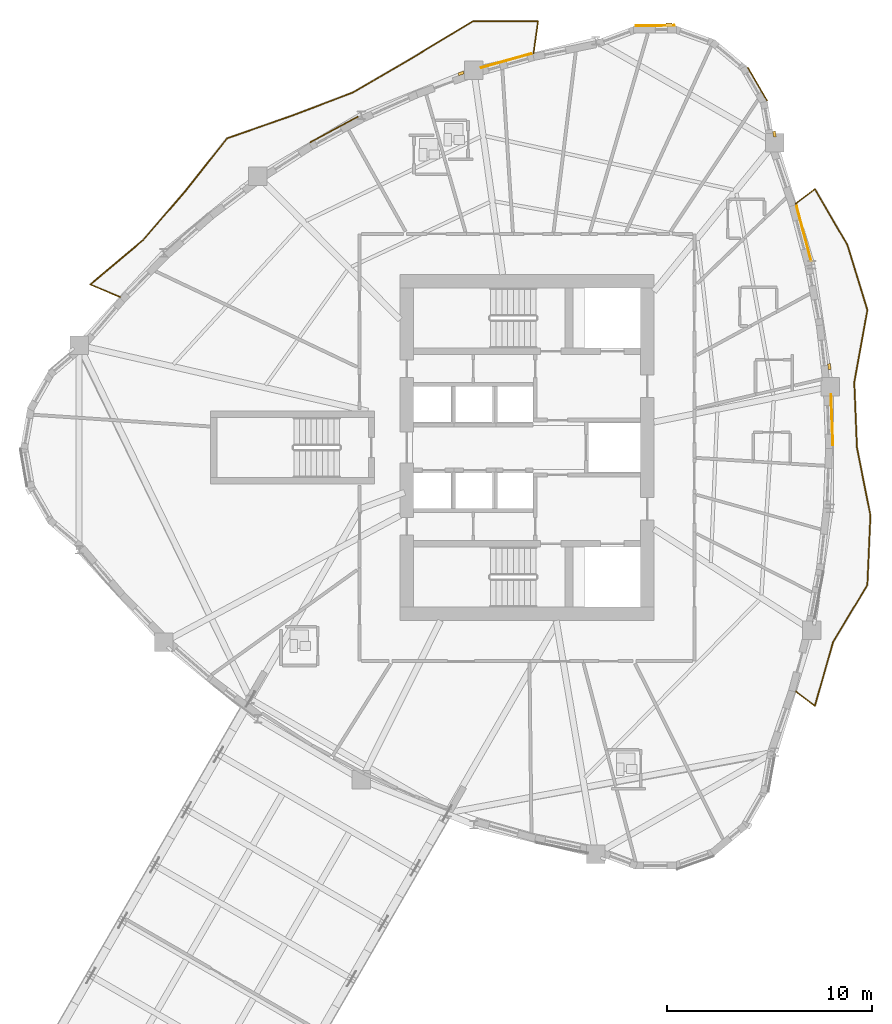
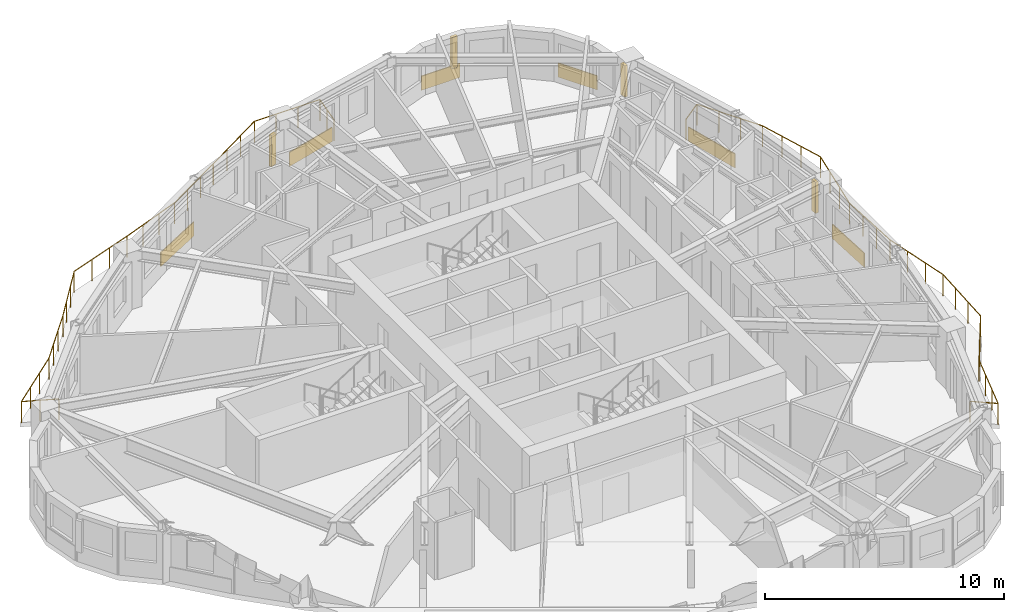
# One storey, part 16 of 17: 6 coverings, 4 shading devices, 2 railings.
"""IFC4 building model written with IfcOpenShell, lengths in metres."""

from ifc_helpers import new_model, si_unit, direction, frame, origin, origin_2d, place, context, subcontext, project, spatial, rectangle, circle, extrude, source, transform, mapped, material, layer, layer_set, type_object, element, save


model = new_model("IFC4")

# Units and contexts
model_context = context("Model", 3, precision=1e-05, world=origin(), true_north=direction((0.0, 1.0)))
body_context = subcontext(model_context, "Body", "Model", "MODEL_VIEW")
ifc_project = project(units=[si_unit("LENGTHUNIT", "METRE"), si_unit("AREAUNIT", "SQUARE_METRE"), si_unit("VOLUMEUNIT", "CUBIC_METRE"), si_unit("PLANEANGLEUNIT", "RADIAN"), si_unit("MASSUNIT", "GRAM", prefix="KILO")], contexts=[model_context])

# Site, building, storey
site_placement = place(None, origin())
site = spatial("IfcSite", under=ifc_project, at=site_placement, CompositionType="ELEMENT")
building_placement = place(site_placement, origin())
building = spatial("IfcBuilding", under=site, at=building_placement, Name="Qafzar Sky-Pleat Residences", CompositionType="ELEMENT")
storey_placement = place(building_placement, frame((0.0, 0.0, 108.800048828125)))
storey = spatial("IfcBuildingStorey", under=building, at=storey_placement, Name="L32", CompositionType="ELEMENT", Elevation=108.800048828125)

# Shading devices
ifc_material_1 = material(Name="Honed Riyadh limestone solar fin", Category="masonry")
ifc_layer_1 = layer(ifc_material_1, 0.139892578125)
ifc_layer_set_1 = layer_set([ifc_layer_1], Name="Honed Riyadh limestone solar fin")
shading_device_type = type_object("IfcShadingDeviceType", Name="SHD-FIN-STONE", PredefinedType="SHUTTER", material=ifc_layer_set_1)
shared_shape_1 = source(origin(), body_context, "Body", "SweptSolid", [
    extrude(rectangle(XDim=0.139892578125, YDim=0.280029296875, at=origin_2d()), origin(), (0.0, 0.0, 1.0), 1.60009765625),
])
for number, where, z_axis, x_axis, name in (
    (1, (45.1171875, 29.951904296875, 0.599853515625), (0.0, 0.0, 1.0), (0.993563207002, 0.113279096445, 0.0), "L32 Limestone Solar Fin 29"),
    (2, (42.439453125, 41.3076171875, 0.599853515625), (0.0, 0.0, 1.0), (0.984675881773, 0.174394403163, 0.0), "L32 Limestone Solar Fin 33"),
    (3, (37.282470703125, 46.656005859375, 0.599853515625), (0.0, 0.0, 1.0), (-0.006870821496, 0.999976395627, 0.0), "L32 Limestone Solar Fin 37"),
    (4, (27.129150390625, 44.275146484375, 0.599853515625), (0.0, 0.0, 1.0), (-0.338169484707, 0.941085224415, 0.0), "L32 Limestone Solar Fin 41"),
):
    element("IfcShadingDevice", number, at=place(storey_placement, frame(where, z_axis=z_axis, x_axis=x_axis)), inside=storey, type_object=shading_device_type, Name=name, PredefinedType="SHUTTER", context=body_context, shape_type="MappedRepresentation", body=[
        mapped(shared_shape_1, transform((0.0, 0.0, 0.0), x_axis=(1.0, 0.0, 0.0), y_axis=(0.0, 1.0, 0.0), z_axis=(0.0, 0.0, 1.0), scale=1.0)),
    ])

# Coverings
ifc_material_2 = material(Name="Honed Riyadh Tuwaiq limestone cladding", Category="masonry")
ifc_layer_2 = layer(ifc_material_2, 0.044921875)
ifc_layer_set_2 = layer_set([ifc_layer_2], Name="Honed Riyadh Tuwaiq limestone cladding")
covering_type = type_object("IfcCoveringType", Name="COV-CLAD-STONE", PredefinedType="CLADDING", material=ifc_layer_set_2)
shared_shape_2 = source(origin(), body_context, "Body", "SweptSolid", [
    extrude(rectangle(XDim=1.88916015625, YDim=0.044921875, at=origin_2d()), origin(), (0.0, 0.0, 1.0), 0.719970703125),
])
for number, where, z_axis, x_axis, name in (
    (5, (41.6083984375, 43.75341796875, 0.02001953125), (0.0, 0.0, 1.0), (-0.50197689344, 0.864881031387, 0.0), "L32 Riyadh Limestone Spandrel Cladding 34"),
    (6, (36.61083984375, 46.6083984375, 0.02001953125), (0.0, 0.0, 1.0), (-0.999976140267, -0.006907886628, 0.0), "L32 Riyadh Limestone Spandrel Cladding 37"),
):
    element("IfcCovering", number, at=place(storey_placement, frame(where, z_axis=z_axis, x_axis=x_axis)), inside=storey, type_object=covering_type, Name=name, PredefinedType="CLADDING", context=body_context, shape_type="MappedRepresentation", body=[
        mapped(shared_shape_2, transform((0.0, 0.0, 0.0), x_axis=(1.0, 0.0, 0.0), y_axis=(0.0, 1.0, 0.0), z_axis=(0.0, 0.0, 1.0), scale=1.0)),
    ])

# Railings
ifc_material_3 = material(Name="Laminated glass and bronze steel balustrade", Category="steel")
railing_type = type_object("IfcRailingType", Name="RAIL-BAL-1100", PredefinedType="BALUSTRADE", material=ifc_material_3)
shared_shape_3 = source(origin(), body_context, "Body", "SweptSolid", [
    extrude(circle(Radius=0.02392578125, at=origin_2d()), frame((0.0, 0.0, 1.076171875), z_axis=(0.792577756925, -0.609770857969, 0.0), x_axis=(0.609770857969, 0.792577756925, 0.0)), (0.0, 0.0, 1.0), 1.177978515625),
    extrude(circle(Radius=0.02392578125, at=origin_2d()), frame((0.93359375, -0.71826171875, 1.076171875), z_axis=(0.27403703855, 0.961719138576, 0.0), x_axis=(-0.961719138576, 0.27403703855, 0.0)), (0.0, 0.0, 1.0), 3.252685546875),
    extrude(circle(Radius=0.02392578125, at=origin_2d()), frame((1.824951171875, 2.409912109375, 1.076171875), z_axis=(0.515058919709, 0.857154775538, 0.0), x_axis=(-0.857154775538, 0.515058919709, 0.0)), (0.0, 0.0, 1.0), 3.250732421875),
    extrude(circle(Radius=0.02392578125, at=origin_2d()), frame((3.499267578125, 5.1962890625, 1.076171875), z_axis=(0.043446573451, 0.999055751825, 0.0), x_axis=(-0.999055751825, 0.043446573451, 0.0)), (0.0, 0.0, 1.0), 3.399658203125),
    extrude(circle(Radius=0.02392578125, at=origin_2d()), frame((3.64697265625, 8.5927734375, 1.076171875), z_axis=(-0.194615528867, 0.980879603175, 0.0), x_axis=(-0.980879603175, -0.194615528867, 0.0)), (0.0, 0.0, 1.0), 3.379638671875),
    extrude(circle(Radius=0.02392578125, at=origin_2d()), frame((2.9892578125, 11.90771484375, 1.076171875), z_axis=(-0.041059132366, 0.999156718263, 0.0), x_axis=(-0.999156718263, -0.041059132366, 0.0)), (0.0, 0.0, 1.0), 3.18115234375),
    extrude(circle(Radius=0.02392578125, at=origin_2d()), frame((2.858642578125, 15.086181640625, 1.076171875), z_axis=(0.178418700862, 0.983954657077, 0.0), x_axis=(-0.983954657077, 0.178418700862, 0.0)), (0.0, 0.0, 1.0), 3.590576171875),
    extrude(circle(Radius=0.02392578125, at=origin_2d()), frame((3.499267578125, 18.619140625, 1.076171875), z_axis=(-0.293284134593, 0.956025322048, 0.0), x_axis=(-0.956025322048, -0.293284134593, 0.0)), (0.0, 0.0, 1.0), 3.3173828125),
    extrude(circle(Radius=0.02392578125, at=origin_2d()), frame((2.5263671875, 21.79052734375, 1.076171875), z_axis=(-0.502128090271, 0.864793259086, 0.0), x_axis=(-0.864793259086, -0.502128090271, 0.0)), (0.0, 0.0, 1.0), 3.172119140625),
    extrude(circle(Radius=0.02392578125, at=origin_2d()), frame((0.93359375, 24.53369140625, 1.076171875), z_axis=(-0.792577756925, -0.609770857969, 0.0), x_axis=(0.609770857969, -0.792577756925, 0.0)), (0.0, 0.0, 1.0), 1.177978515625),
    extrude(circle(Radius=0.02099609375, at=origin_2d()), origin(), (0.0, 0.0, 1.0), 1.052001953125),
    extrude(circle(Radius=0.02099609375, at=origin_2d()), frame((0.93359375, -0.71826171875, 0.0)), (0.0, 0.0, 1.0), 1.052001953125),
    extrude(circle(Radius=0.02099609375, at=origin_2d()), frame((1.230712890625, 0.324462890625, 0.0)), (0.0, 0.0, 1.0), 1.052001953125),
    extrude(circle(Radius=0.02099609375, at=origin_2d()), frame((1.52783203125, 1.3671875, 0.0)), (0.0, 0.0, 1.0), 1.052001953125),
    extrude(circle(Radius=0.02099609375, at=origin_2d()), frame((1.824951171875, 2.409912109375, 0.0)), (0.0, 0.0, 1.0), 1.052001953125),
    extrude(circle(Radius=0.02099609375, at=origin_2d()), frame((2.383056640625, 3.338623046875, 0.0)), (0.0, 0.0, 1.0), 1.052001953125),
    extrude(circle(Radius=0.02099609375, at=origin_2d()), frame((2.941162109375, 4.267578125, 0.0)), (0.0, 0.0, 1.0), 1.052001953125),
    extrude(circle(Radius=0.02099609375, at=origin_2d()), frame((3.499267578125, 5.1962890625, 0.0)), (0.0, 0.0, 1.0), 1.052001953125),
    extrude(circle(Radius=0.02099609375, at=origin_2d()), frame((3.548583984375, 6.328369140625, 0.0)), (0.0, 0.0, 1.0), 1.052001953125),
    extrude(circle(Radius=0.02099609375, at=origin_2d()), frame((3.59765625, 7.460693359375, 0.0)), (0.0, 0.0, 1.0), 1.052001953125),
    extrude(circle(Radius=0.02099609375, at=origin_2d()), frame((3.64697265625, 8.5927734375, 0.0)), (0.0, 0.0, 1.0), 1.052001953125),
    extrude(circle(Radius=0.02099609375, at=origin_2d()), frame((3.427734375, 9.69775390625, 0.0)), (0.0, 0.0, 1.0), 1.052001953125),
    extrude(circle(Radius=0.02099609375, at=origin_2d()), frame((3.20849609375, 10.802734375, 0.0)), (0.0, 0.0, 1.0), 1.052001953125),
    extrude(circle(Radius=0.02099609375, at=origin_2d()), frame((2.9892578125, 11.90771484375, 0.0)), (0.0, 0.0, 1.0), 1.052001953125),
    extrude(circle(Radius=0.02099609375, at=origin_2d()), frame((2.94580078125, 12.96728515625, 0.0)), (0.0, 0.0, 1.0), 1.052001953125),
    extrude(circle(Radius=0.02099609375, at=origin_2d()), frame((2.902099609375, 14.026611328125, 0.0)), (0.0, 0.0, 1.0), 1.052001953125),
    extrude(circle(Radius=0.02099609375, at=origin_2d()), frame((2.858642578125, 15.086181640625, 0.0)), (0.0, 0.0, 1.0), 1.052001953125),
    extrude(circle(Radius=0.02099609375, at=origin_2d()), frame((3.072265625, 16.263916015625, 0.0)), (0.0, 0.0, 1.0), 1.052001953125),
    extrude(circle(Radius=0.02099609375, at=origin_2d()), frame((3.28564453125, 17.44140625, 0.0)), (0.0, 0.0, 1.0), 1.052001953125),
    extrude(circle(Radius=0.02099609375, at=origin_2d()), frame((3.499267578125, 18.619140625, 0.0)), (0.0, 0.0, 1.0), 1.052001953125),
    extrude(circle(Radius=0.02099609375, at=origin_2d()), frame((3.175048828125, 19.67626953125, 0.0)), (0.0, 0.0, 1.0), 1.052001953125),
    extrude(circle(Radius=0.02099609375, at=origin_2d()), frame((2.8505859375, 20.7333984375, 0.0)), (0.0, 0.0, 1.0), 1.052001953125),
    extrude(circle(Radius=0.02099609375, at=origin_2d()), frame((2.5263671875, 21.79052734375, 0.0)), (0.0, 0.0, 1.0), 1.052001953125),
    extrude(circle(Radius=0.02099609375, at=origin_2d()), frame((1.995361328125, 22.704833984375, 0.0)), (0.0, 0.0, 1.0), 1.052001953125),
    extrude(circle(Radius=0.02099609375, at=origin_2d()), frame((1.464599609375, 23.619384765625, 0.0)), (0.0, 0.0, 1.0), 1.052001953125),
    extrude(circle(Radius=0.02099609375, at=origin_2d()), frame((0.93359375, 24.53369140625, 0.0)), (0.0, 0.0, 1.0), 1.052001953125),
    extrude(circle(Radius=0.02099609375, at=origin_2d()), frame((0.0, 23.8154296875, 0.0)), (0.0, 0.0, 1.0), 1.052001953125),
])
railing_1_placement = place(storey_placement, frame((43.47705078125, 14.09228515625, 0.0)))
element("IfcRailing", 7, at=railing_1_placement, inside=storey, type_object=railing_type, Name="L32 Pleated Balcony 1 Balustrade", PredefinedType="BALUSTRADE", context=body_context, shape_type="MappedRepresentation", body=[
    mapped(shared_shape_3, transform((0.0, 0.0, 0.0), x_axis=(1.0, 0.0, 0.0), y_axis=(0.0, 1.0, 0.0), z_axis=(0.0, 0.0, 1.0), scale=1.0)),
])
shared_shape_4 = source(origin(), body_context, "Body", "SweptSolid", [
    extrude(circle(Radius=0.02392578125, at=origin_2d()), frame((0.0, 0.0, 1.076171875), z_axis=(0.137370226227, 0.990519773122, 0.0), x_axis=(-0.990519773122, 0.137370226227, 0.0)), (0.0, 0.0, 1.0), 1.578125),
    extrude(circle(Radius=0.02392578125, at=origin_2d()), frame((0.216796875, 1.563232421875, 1.076171875), z_axis=(-0.999999854605, -0.000539249594, 0.0), x_axis=(0.000539249594, -0.999999854605, 0.0)), (0.0, 0.0, 1.0), 3.169189453125),
    extrude(circle(Radius=0.02392578125, at=origin_2d()), frame((-2.952392578125, 1.5615234375, 1.076171875), z_axis=(-0.857129256153, -0.515101386377, 0.0), x_axis=(0.515101386377, -0.857129256153, 0.0)), (0.0, 0.0, 1.0), 3.55615234375),
    extrude(circle(Radius=0.02392578125, at=origin_2d()), frame((-6.00048828125, -0.270263671875, 1.076171875), z_axis=(-0.863518062616, -0.504317911179, 0.0), x_axis=(0.504317911179, -0.863518062616, 0.0)), (0.0, 0.0, 1.0), 3.260498046875),
    extrude(circle(Radius=0.02392578125, at=origin_2d()), frame((-8.81591796875, -1.91455078125, 1.076171875), z_axis=(-0.934610988639, -0.355671618089, 0.0), x_axis=(0.355671618089, -0.934610988639, 0.0)), (0.0, 0.0, 1.0), 3.167724609375),
    extrude(circle(Radius=0.02392578125, at=origin_2d()), frame((-11.776611328125, -3.041259765625, 1.076171875), z_axis=(-0.944059337016, -0.32977563311, 0.0), x_axis=(0.32977563311, -0.944059337016, 0.0)), (0.0, 0.0, 1.0), 3.386962890625),
    extrude(circle(Radius=0.02392578125, at=origin_2d()), frame((-14.97412109375, -4.158203125, 1.076171875), z_axis=(-0.620199507218, -0.784444116076, 0.0), x_axis=(0.784444116076, -0.620199507218, 0.0)), (0.0, 0.0, 1.0), 3.29248046875),
    extrude(circle(Radius=0.02392578125, at=origin_2d()), frame((-17.01611328125, -6.740966796875, 1.076171875), z_axis=(-0.652430402864, -0.757848645456, 0.0), x_axis=(0.757848645456, -0.652430402864, 0.0)), (0.0, 0.0, 1.0), 3.149658203125),
    extrude(circle(Radius=0.02392578125, at=origin_2d()), frame((-19.071044921875, -9.1279296875, 1.076171875), z_axis=(-0.765579311456, -0.643341525064, 0.0), x_axis=(0.643341525064, -0.765579311456, 0.0)), (0.0, 0.0, 1.0), 3.371337890625),
    extrude(circle(Radius=0.02392578125, at=origin_2d()), frame((-21.652099609375, -11.296875, 1.076171875), z_axis=(0.922103580948, -0.386943130193, 0.0), x_axis=(0.386943130193, 0.922103580948, 0.0)), (0.0, 0.0, 1.0), 1.577880859375),
    extrude(circle(Radius=0.02099609375, at=origin_2d()), origin(), (0.0, 0.0, 1.0), 1.052001953125),
    extrude(circle(Radius=0.02099609375, at=origin_2d()), frame((0.1083984375, 0.78173828125, 0.0)), (0.0, 0.0, 1.0), 1.052001953125),
    extrude(circle(Radius=0.02099609375, at=origin_2d()), frame((0.216796875, 1.563232421875, 0.0)), (0.0, 0.0, 1.0), 1.052001953125),
    extrude(circle(Radius=0.02099609375, at=origin_2d()), frame((-0.839599609375, 1.562744140625, 0.0)), (0.0, 0.0, 1.0), 1.052001953125),
    extrude(circle(Radius=0.02099609375, at=origin_2d()), frame((-1.89599609375, 1.56201171875, 0.0)), (0.0, 0.0, 1.0), 1.052001953125),
    extrude(circle(Radius=0.02099609375, at=origin_2d()), frame((-2.952392578125, 1.5615234375, 0.0)), (0.0, 0.0, 1.0), 1.052001953125),
    extrude(circle(Radius=0.02099609375, at=origin_2d()), frame((-3.968505859375, 0.950927734375, 0.0)), (0.0, 0.0, 1.0), 1.052001953125),
    extrude(circle(Radius=0.02099609375, at=origin_2d()), frame((-4.984375, 0.34033203125, 0.0)), (0.0, 0.0, 1.0), 1.052001953125),
    extrude(circle(Radius=0.02099609375, at=origin_2d()), frame((-6.00048828125, -0.270263671875, 0.0)), (0.0, 0.0, 1.0), 1.052001953125),
    extrude(circle(Radius=0.02099609375, at=origin_2d()), frame((-6.93896484375, -0.818359375, 0.0)), (0.0, 0.0, 1.0), 1.052001953125),
    extrude(circle(Radius=0.02099609375, at=origin_2d()), frame((-7.87744140625, -1.366455078125, 0.0)), (0.0, 0.0, 1.0), 1.052001953125),
    extrude(circle(Radius=0.02099609375, at=origin_2d()), frame((-8.81591796875, -1.91455078125, 0.0)), (0.0, 0.0, 1.0), 1.052001953125),
    extrude(circle(Radius=0.02099609375, at=origin_2d()), frame((-9.802734375, -2.2900390625, 0.0)), (0.0, 0.0, 1.0), 1.052001953125),
    extrude(circle(Radius=0.02099609375, at=origin_2d()), frame((-10.789794921875, -2.665771484375, 0.0)), (0.0, 0.0, 1.0), 1.052001953125),
    extrude(circle(Radius=0.02099609375, at=origin_2d()), frame((-11.776611328125, -3.041259765625, 0.0)), (0.0, 0.0, 1.0), 1.052001953125),
    extrude(circle(Radius=0.02099609375, at=origin_2d()), frame((-12.842529296875, -3.41357421875, 0.0)), (0.0, 0.0, 1.0), 1.052001953125),
    extrude(circle(Radius=0.02099609375, at=origin_2d()), frame((-13.908203125, -3.785888671875, 0.0)), (0.0, 0.0, 1.0), 1.052001953125),
    extrude(circle(Radius=0.02099609375, at=origin_2d()), frame((-14.97412109375, -4.158203125, 0.0)), (0.0, 0.0, 1.0), 1.052001953125),
    extrude(circle(Radius=0.02099609375, at=origin_2d()), frame((-15.65478515625, -5.01904296875, 0.0)), (0.0, 0.0, 1.0), 1.052001953125),
    extrude(circle(Radius=0.02099609375, at=origin_2d()), frame((-16.33544921875, -5.880126953125, 0.0)), (0.0, 0.0, 1.0), 1.052001953125),
    extrude(circle(Radius=0.02099609375, at=origin_2d()), frame((-17.01611328125, -6.740966796875, 0.0)), (0.0, 0.0, 1.0), 1.052001953125),
    extrude(circle(Radius=0.02099609375, at=origin_2d()), frame((-17.701171875, -7.53662109375, 0.0)), (0.0, 0.0, 1.0), 1.052001953125),
    extrude(circle(Radius=0.02099609375, at=origin_2d()), frame((-18.385986328125, -8.332275390625, 0.0)), (0.0, 0.0, 1.0), 1.052001953125),
    extrude(circle(Radius=0.02099609375, at=origin_2d()), frame((-19.071044921875, -9.1279296875, 0.0)), (0.0, 0.0, 1.0), 1.052001953125),
    extrude(circle(Radius=0.02099609375, at=origin_2d()), frame((-19.931396484375, -9.850830078125, 0.0)), (0.0, 0.0, 1.0), 1.052001953125),
    extrude(circle(Radius=0.02099609375, at=origin_2d()), frame((-20.791748046875, -10.573974609375, 0.0)), (0.0, 0.0, 1.0), 1.052001953125),
    extrude(circle(Radius=0.02099609375, at=origin_2d()), frame((-21.652099609375, -11.296875, 0.0)), (0.0, 0.0, 1.0), 1.052001953125),
    extrude(circle(Radius=0.02099609375, at=origin_2d()), frame((-20.924560546875, -11.60205078125, 0.0)), (0.0, 0.0, 1.0), 1.052001953125),
    extrude(circle(Radius=0.02099609375, at=origin_2d()), frame((-20.197021484375, -11.907470703125, 0.0)), (0.0, 0.0, 1.0), 1.052001953125),
])
railing_2_placement = place(storey_placement, frame((30.67431640625, 45.2587890625, 0.0)))
element("IfcRailing", 8, at=railing_2_placement, inside=storey, type_object=railing_type, Name="L32 Pleated Balcony 2 Balustrade", PredefinedType="BALUSTRADE", context=body_context, shape_type="MappedRepresentation", body=[
    mapped(shared_shape_4, transform((0.0, 0.0, 0.0), x_axis=(1.0, 0.0, 0.0), y_axis=(0.0, 1.0, 0.0), z_axis=(0.0, 0.0, 1.0), scale=1.0)),
])

# Coverings
shared_shape_5 = source(origin(), body_context, "Body", "SweptSolid", [
    extrude(rectangle(XDim=2.506591796875, YDim=0.044921875, at=origin_2d()), origin(), (0.0, 0.0, 1.0), 0.719970703125),
])
covering_1_placement = place(storey_placement, frame((45.246826171875, 27.3544921875, 0.02001953125), z_axis=(0.0, 0.0, 1.0), x_axis=(-0.037950508704, 0.999279619971, 0.0)))
element("IfcCovering", 9, at=covering_1_placement, inside=storey, type_object=covering_type, Name="L32 Riyadh Limestone Spandrel Cladding 28", PredefinedType="CLADDING", context=body_context, shape_type="MappedRepresentation", body=[
    mapped(shared_shape_5, transform((0.0, 0.0, 0.0), x_axis=(1.0, 0.0, 0.0), y_axis=(0.0, 1.0, 0.0), z_axis=(0.0, 0.0, 1.0), scale=1.0)),
])
shared_shape_6 = source(origin(), body_context, "Body", "SweptSolid", [
    extrude(rectangle(XDim=2.786865234375, YDim=0.044921875, at=origin_2d()), origin(), (0.0, 0.0, 1.0), 0.719970703125),
])
covering_2_placement = place(storey_placement, frame((43.876953125, 36.446533203125, 0.02001953125), z_axis=(0.0, 0.0, 1.0), x_axis=(-0.257089761456, 0.966387528145, 0.0)))
element("IfcCovering", 10, at=covering_2_placement, inside=storey, type_object=covering_type, Name="L32 Riyadh Limestone Spandrel Cladding 31", PredefinedType="CLADDING", context=body_context, shape_type="MappedRepresentation", body=[
    mapped(shared_shape_6, transform((0.0, 0.0, 0.0), x_axis=(1.0, 0.0, 0.0), y_axis=(0.0, 1.0, 0.0), z_axis=(0.0, 0.0, 1.0), scale=1.0)),
])
shared_shape_7 = source(origin(), body_context, "Body", "SweptSolid", [
    extrude(rectangle(XDim=2.554931640625, YDim=0.044921875, at=origin_2d()), origin(), (0.0, 0.0, 1.0), 0.719970703125),
])
covering_3_placement = place(storey_placement, frame((29.336181640625, 44.89599609375, 0.02001953125), z_axis=(0.0, 0.0, 1.0), x_axis=(-0.963033866317, -0.269380348813, 0.0)))
element("IfcCovering", 11, at=covering_3_placement, inside=storey, type_object=covering_type, Name="L32 Riyadh Limestone Spandrel Cladding 40", PredefinedType="CLADDING", context=body_context, shape_type="MappedRepresentation", body=[
    mapped(shared_shape_7, transform((0.0, 0.0, 0.0), x_axis=(1.0, 0.0, 0.0), y_axis=(0.0, 1.0, 0.0), z_axis=(0.0, 0.0, 1.0), scale=1.0)),
])
shared_shape_8 = source(origin(), body_context, "Body", "SweptSolid", [
    extrude(rectangle(XDim=2.654052734375, YDim=0.044921875, at=origin_2d()), origin(), (0.0, 0.0, 1.0), 0.719970703125),
])
covering_4_placement = place(storey_placement, frame((20.9296875, 41.5322265625, 0.02001953125), z_axis=(0.0, 0.0, 1.0), x_axis=(-0.880091901341, -0.474803375298, 0.0)))
element("IfcCovering", 12, at=covering_4_placement, inside=storey, type_object=covering_type, Name="L32 Riyadh Limestone Spandrel Cladding 43", PredefinedType="CLADDING", context=body_context, shape_type="MappedRepresentation", body=[
    mapped(shared_shape_8, transform((0.0, 0.0, 0.0), x_axis=(1.0, 0.0, 0.0), y_axis=(0.0, 1.0, 0.0), z_axis=(0.0, 0.0, 1.0), scale=1.0)),
])

save(model, "model.ifc")
